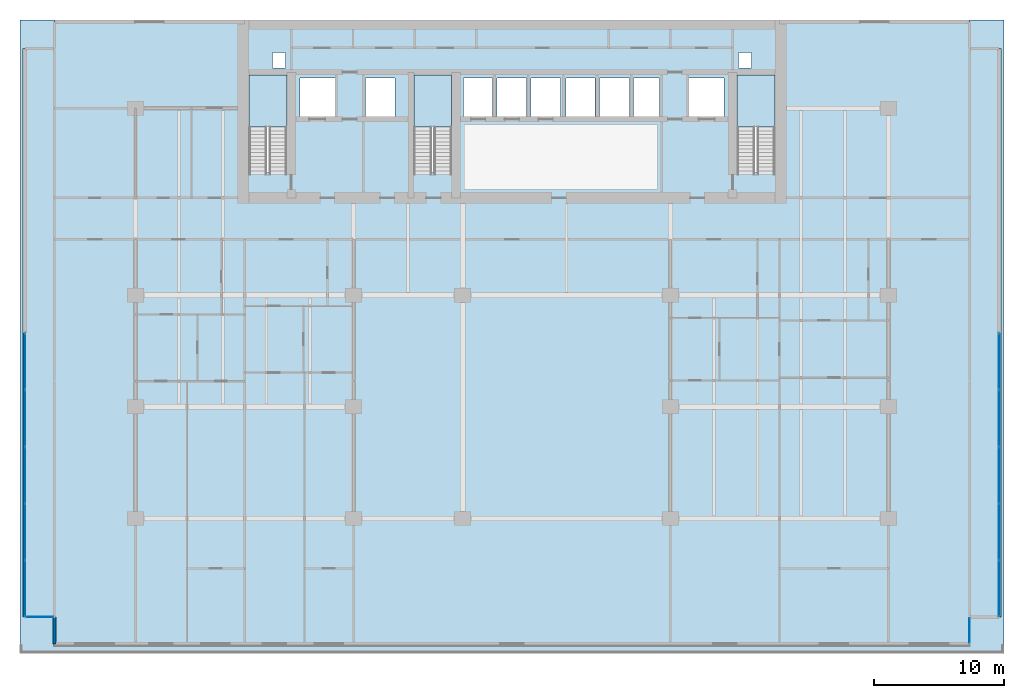
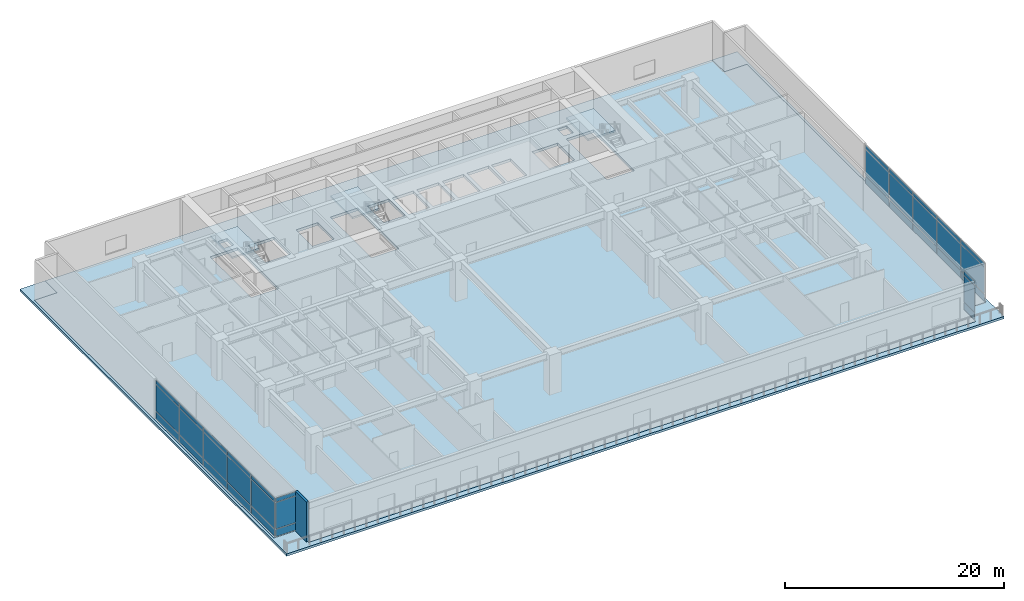
# One storey, part 5 of 13: 36 plates, 5 slabs, 1 wall, 7 elements without a shape of their own.
"""IFC4 building model written with IfcOpenShell, lengths in metres."""

from ifc_helpers import new_model, si_unit, direction, frame, frame_2d, origin, origin_2d, place, context, subcontext, project, spatial, polyline, rectangle, outline, extrude, material, layer, layer_set, type_object, element, aggregate, save


model = new_model("IFC4")

# Units and contexts
model_context = context("Model", 3, precision=1e-05, world=origin(), true_north=direction((0.0, 1.0)))
body_context = subcontext(model_context, "Body", "Model", "MODEL_VIEW")
ifc_project = project(units=[si_unit("LENGTHUNIT", "METRE"), si_unit("AREAUNIT", "SQUARE_METRE"), si_unit("VOLUMEUNIT", "CUBIC_METRE"), si_unit("PLANEANGLEUNIT", "RADIAN"), si_unit("MASSUNIT", "GRAM", prefix="KILO")], contexts=[model_context])

# Site, building, storey
site_placement = place(None, origin())
site = spatial("IfcSite", under=ifc_project, at=site_placement, CompositionType="ELEMENT")
building_placement = place(site_placement, origin())
building = spatial("IfcBuilding", under=site, at=building_placement, Name="Caelmar Bay Residences", CompositionType="ELEMENT")
storey_placement = place(building_placement, frame((0.0, 0.0, 19.800048828125)))
storey = spatial("IfcBuildingStorey", under=building, at=storey_placement, Name="L04", CompositionType="ELEMENT", Elevation=19.800048828125)

# Curtain wall, plates
ifc_material_1 = material(Name="Anodised bronze aluminium 6063-T6 and laminated glass", Category="aluminium")
ifc_layer_1 = layer(ifc_material_1, 0.179931640625)
ifc_layer_set_1 = layer_set([ifc_layer_1], Name="Anodised bronze aluminium 6063-T6 and laminated glass")
curtain_wall_type_1 = type_object("IfcCurtainWallType", Name="CW6-NTC", PredefinedType="NOTDEFINED", material=ifc_layer_set_1)
curtain_wall_1_placement = place(storey_placement, origin())
curtain_wall_1 = element("IfcCurtainWall", 1, at=curtain_wall_1_placement, inside=storey, type_object=curtain_wall_type_1, Name="CW6 curtain wall L04", PredefinedType="NOTDEFINED")
ifc_material_2 = material(Name="Bronze-tinted laminated low-E hurricane glass 28 mm", Category="glass")
ifc_layer_2 = layer(ifc_material_2, 0.028076171875)
ifc_layer_set_2 = layer_set([ifc_layer_2], Name="Bronze-tinted laminated low-E hurricane glass 28 mm")
plate_type_1 = type_object("IfcPlateType", Name="CWP-GLZ28", PredefinedType="CURTAIN_PANEL", material=ifc_layer_set_2)
plate_1_placement = place(storey_placement, frame((2.52490234375, 4.60009765625, 0.080078125), z_axis=(0.0, 0.0, 1.0), x_axis=(1.0, 0.0, 0.0)))
plate_1 = element("IfcPlate", 2, at=plate_1_placement, type_object=plate_type_1, Name="CW6 panel 1.1", PredefinedType="CURTAIN_PANEL", context=body_context, shape_type="SweptSolid", body=[
    extrude(rectangle(XDim=2.090087890625, YDim=0.028076171875, at=origin_2d()), origin(), (0.0, 0.0, 1.0), 0.780029296875),
])
plate_2_placement = place(storey_placement, frame((2.52490234375, 4.60009765625, 0.93994140625), z_axis=(0.0, 0.0, 1.0), x_axis=(1.0, 0.0, 0.0)))
plate_2 = element("IfcPlate", 3, at=plate_2_placement, type_object=plate_type_1, Name="CW6 panel 1.2", PredefinedType="CURTAIN_PANEL", context=body_context, shape_type="SweptSolid", body=[
    extrude(rectangle(XDim=2.090087890625, YDim=0.028076171875, at=origin_2d()), origin(), (0.0, 0.0, 1.0), 2.919921875),
])
plate_3_placement = place(storey_placement, frame((2.52490234375, 4.60009765625, 3.93994140625), z_axis=(0.0, 0.0, 1.0), x_axis=(1.0, 0.0, 0.0)))
plate_3 = element("IfcPlate", 4, at=plate_3_placement, type_object=plate_type_1, Name="CW6 panel 1.3", PredefinedType="CURTAIN_PANEL", context=body_context, shape_type="SweptSolid", body=[
    extrude(rectangle(XDim=2.090087890625, YDim=0.028076171875, at=origin_2d()), origin(), (0.0, 0.0, 1.0), 0.429931640625),
])
aggregate(curtain_wall_1, [plate_1, plate_2, plate_3])

curtain_wall_2_placement = place(storey_placement, origin())
curtain_wall_2 = element("IfcCurtainWall", 5, at=curtain_wall_2_placement, inside=storey, type_object=curtain_wall_type_1, Name="CW6 curtain wall L04", PredefinedType="NOTDEFINED")
plate_4_placement = place(storey_placement, frame((74.14990234375, 3.574951171875, 0.080078125), z_axis=(0.0, 0.0, 1.0), x_axis=(0.0, 1.0, 0.0)))
plate_4 = element("IfcPlate", 6, at=plate_4_placement, type_object=plate_type_1, Name="CW6 panel 1.1", PredefinedType="CURTAIN_PANEL", context=body_context, shape_type="SweptSolid", body=[
    extrude(rectangle(XDim=1.889892578125, YDim=0.028076171875, at=origin_2d()), origin(), (0.0, 0.0, 1.0), 0.780029296875),
])
plate_5_placement = place(storey_placement, frame((74.14990234375, 3.574951171875, 0.93994140625), z_axis=(0.0, 0.0, 1.0), x_axis=(0.0, 1.0, 0.0)))
plate_5 = element("IfcPlate", 7, at=plate_5_placement, type_object=plate_type_1, Name="CW6 panel 1.2", PredefinedType="CURTAIN_PANEL", context=body_context, shape_type="SweptSolid", body=[
    extrude(rectangle(XDim=1.889892578125, YDim=0.028076171875, at=origin_2d()), origin(), (0.0, 0.0, 1.0), 2.919921875),
])
plate_6_placement = place(storey_placement, frame((74.14990234375, 3.574951171875, 3.93994140625), z_axis=(0.0, 0.0, 1.0), x_axis=(0.0, 1.0, 0.0)))
plate_6 = element("IfcPlate", 8, at=plate_6_placement, type_object=plate_type_1, Name="CW6 panel 1.3", PredefinedType="CURTAIN_PANEL", context=body_context, shape_type="SweptSolid", body=[
    extrude(rectangle(XDim=1.889892578125, YDim=0.028076171875, at=origin_2d()), origin(), (0.0, 0.0, 1.0), 0.429931640625),
])
aggregate(curtain_wall_2, [plate_4, plate_5, plate_6])

ifc_layer_3 = layer(ifc_material_1, 0.179931640625)
ifc_layer_set_3 = layer_set([ifc_layer_3], Name="Anodised bronze aluminium 6063-T6 and laminated glass")
curtain_wall_type_2 = type_object("IfcCurtainWallType", Name="CW1-POD", PredefinedType="NOTDEFINED", material=ifc_layer_set_3)
curtain_wall_3_placement = place(storey_placement, origin())
curtain_wall_3 = element("IfcCurtainWall", 9, at=curtain_wall_3_placement, inside=storey, type_object=curtain_wall_type_2, Name="CW1 curtain wall L04", PredefinedType="NOTDEFINED")
ifc_material_3 = material(Name="Bronze-tinted laminated low-E hurricane glass 32 mm", Category="glass")
ifc_layer_4 = layer(ifc_material_3, 0.031982421875)
ifc_layer_set_4 = layer_set([ifc_layer_4], Name="Bronze-tinted laminated low-E hurricane glass 32 mm")
plate_type_2 = type_object("IfcPlateType", Name="CWP-GLZ32", PredefinedType="CURTAIN_PANEL", material=ifc_layer_set_4)
plate_7_placement = place(storey_placement, frame((1.39990234375, 6.81005859375, 0.080078125), z_axis=(0.0, 0.0, 1.0), x_axis=(0.0, 1.0, 0.0)))
plate_7 = element("IfcPlate", 10, at=plate_7_placement, type_object=plate_type_2, Name="CW1 panel 1.1", PredefinedType="CURTAIN_PANEL", context=body_context, shape_type="SweptSolid", body=[
    extrude(rectangle(XDim=4.260009765625, YDim=0.031982421875, at=origin_2d()), origin(), (0.0, 0.0, 1.0), 0.780029296875),
])
plate_8_placement = place(storey_placement, frame((1.39990234375, 6.81005859375, 0.93994140625), z_axis=(0.0, 0.0, 1.0), x_axis=(0.0, 1.0, 0.0)))
plate_8 = element("IfcPlate", 11, at=plate_8_placement, type_object=plate_type_2, Name="CW1 panel 1.2", PredefinedType="CURTAIN_PANEL", context=body_context, shape_type="SweptSolid", body=[
    extrude(rectangle(XDim=4.260009765625, YDim=0.031982421875, at=origin_2d()), origin(), (0.0, 0.0, 1.0), 2.919921875),
])
plate_9_placement = place(storey_placement, frame((1.39990234375, 6.81005859375, 3.93994140625), z_axis=(0.0, 0.0, 1.0), x_axis=(0.0, 1.0, 0.0)))
plate_9 = element("IfcPlate", 12, at=plate_9_placement, type_object=plate_type_2, Name="CW1 panel 1.3", PredefinedType="CURTAIN_PANEL", context=body_context, shape_type="SweptSolid", body=[
    extrude(rectangle(XDim=4.260009765625, YDim=0.031982421875, at=origin_2d()), origin(), (0.0, 0.0, 1.0), 0.429931640625),
])
plate_10_placement = place(storey_placement, frame((1.39990234375, 11.169921875, 0.080078125), z_axis=(0.0, 0.0, 1.0), x_axis=(0.0, 1.0, 0.0)))
plate_10 = element("IfcPlate", 13, at=plate_10_placement, type_object=plate_type_2, Name="CW1 panel 2.1", PredefinedType="CURTAIN_PANEL", context=body_context, shape_type="SweptSolid", body=[
    extrude(rectangle(XDim=4.300048828125, YDim=0.031982421875, at=origin_2d()), origin(), (0.0, 0.0, 1.0), 0.780029296875),
])
plate_11_placement = place(storey_placement, frame((1.39990234375, 11.169921875, 0.93994140625), z_axis=(0.0, 0.0, 1.0), x_axis=(0.0, 1.0, 0.0)))
plate_11 = element("IfcPlate", 14, at=plate_11_placement, type_object=plate_type_2, Name="CW1 panel 2.2", PredefinedType="CURTAIN_PANEL", context=body_context, shape_type="SweptSolid", body=[
    extrude(rectangle(XDim=4.300048828125, YDim=0.031982421875, at=origin_2d()), origin(), (0.0, 0.0, 1.0), 2.919921875),
])
plate_12_placement = place(storey_placement, frame((1.39990234375, 11.169921875, 3.93994140625), z_axis=(0.0, 0.0, 1.0), x_axis=(0.0, 1.0, 0.0)))
plate_12 = element("IfcPlate", 15, at=plate_12_placement, type_object=plate_type_2, Name="CW1 panel 2.3", PredefinedType="CURTAIN_PANEL", context=body_context, shape_type="SweptSolid", body=[
    extrude(rectangle(XDim=4.300048828125, YDim=0.031982421875, at=origin_2d()), origin(), (0.0, 0.0, 1.0), 0.429931640625),
])
plate_13_placement = place(storey_placement, frame((1.39990234375, 15.550048828125, 0.080078125), z_axis=(0.0, 0.0, 1.0), x_axis=(0.0, 1.0, 0.0)))
plate_13 = element("IfcPlate", 16, at=plate_13_placement, type_object=plate_type_2, Name="CW1 panel 3.1", PredefinedType="CURTAIN_PANEL", context=body_context, shape_type="SweptSolid", body=[
    extrude(rectangle(XDim=4.300048828125, YDim=0.031982421875, at=origin_2d()), origin(), (0.0, 0.0, 1.0), 0.780029296875),
])
plate_14_placement = place(storey_placement, frame((1.39990234375, 15.550048828125, 0.93994140625), z_axis=(0.0, 0.0, 1.0), x_axis=(0.0, 1.0, 0.0)))
plate_14 = element("IfcPlate", 17, at=plate_14_placement, type_object=plate_type_2, Name="CW1 panel 3.2", PredefinedType="CURTAIN_PANEL", context=body_context, shape_type="SweptSolid", body=[
    extrude(rectangle(XDim=4.300048828125, YDim=0.031982421875, at=origin_2d()), origin(), (0.0, 0.0, 1.0), 2.919921875),
])
plate_15_placement = place(storey_placement, frame((1.39990234375, 15.550048828125, 3.93994140625), z_axis=(0.0, 0.0, 1.0), x_axis=(0.0, 1.0, 0.0)))
plate_15 = element("IfcPlate", 18, at=plate_15_placement, type_object=plate_type_2, Name="CW1 panel 3.3", PredefinedType="CURTAIN_PANEL", context=body_context, shape_type="SweptSolid", body=[
    extrude(rectangle(XDim=4.300048828125, YDim=0.031982421875, at=origin_2d()), origin(), (0.0, 0.0, 1.0), 0.429931640625),
])
plate_16_placement = place(storey_placement, frame((1.39990234375, 19.929931640625, 0.080078125), z_axis=(0.0, 0.0, 1.0), x_axis=(0.0, 1.0, 0.0)))
plate_16 = element("IfcPlate", 19, at=plate_16_placement, type_object=plate_type_2, Name="CW1 panel 4.1", PredefinedType="CURTAIN_PANEL", context=body_context, shape_type="SweptSolid", body=[
    extrude(rectangle(XDim=4.300048828125, YDim=0.031982421875, at=origin_2d()), origin(), (0.0, 0.0, 1.0), 0.780029296875),
])
plate_17_placement = place(storey_placement, frame((1.39990234375, 19.929931640625, 0.93994140625), z_axis=(0.0, 0.0, 1.0), x_axis=(0.0, 1.0, 0.0)))
plate_17 = element("IfcPlate", 20, at=plate_17_placement, type_object=plate_type_2, Name="CW1 panel 4.2", PredefinedType="CURTAIN_PANEL", context=body_context, shape_type="SweptSolid", body=[
    extrude(rectangle(XDim=4.300048828125, YDim=0.031982421875, at=origin_2d()), origin(), (0.0, 0.0, 1.0), 2.919921875),
])
plate_18_placement = place(storey_placement, frame((1.39990234375, 19.929931640625, 3.93994140625), z_axis=(0.0, 0.0, 1.0), x_axis=(0.0, 1.0, 0.0)))
plate_18 = element("IfcPlate", 21, at=plate_18_placement, type_object=plate_type_2, Name="CW1 panel 4.3", PredefinedType="CURTAIN_PANEL", context=body_context, shape_type="SweptSolid", body=[
    extrude(rectangle(XDim=4.300048828125, YDim=0.031982421875, at=origin_2d()), origin(), (0.0, 0.0, 1.0), 0.429931640625),
])
plate_19_placement = place(storey_placement, frame((1.39990234375, 24.2900390625, 0.080078125), z_axis=(0.0, 0.0, 1.0), x_axis=(0.0, 1.0, 0.0)))
plate_19 = element("IfcPlate", 22, at=plate_19_placement, type_object=plate_type_2, Name="CW1 panel 5.1", PredefinedType="CURTAIN_PANEL", context=body_context, shape_type="SweptSolid", body=[
    extrude(rectangle(XDim=4.260009765625, YDim=0.031982421875, at=origin_2d()), origin(), (0.0, 0.0, 1.0), 0.780029296875),
])
plate_20_placement = place(storey_placement, frame((1.39990234375, 24.2900390625, 0.93994140625), z_axis=(0.0, 0.0, 1.0), x_axis=(0.0, 1.0, 0.0)))
plate_20 = element("IfcPlate", 23, at=plate_20_placement, type_object=plate_type_2, Name="CW1 panel 5.2", PredefinedType="CURTAIN_PANEL", context=body_context, shape_type="SweptSolid", body=[
    extrude(rectangle(XDim=4.260009765625, YDim=0.031982421875, at=origin_2d()), origin(), (0.0, 0.0, 1.0), 2.919921875),
])
plate_21_placement = place(storey_placement, frame((1.39990234375, 24.2900390625, 3.93994140625), z_axis=(0.0, 0.0, 1.0), x_axis=(0.0, 1.0, 0.0)))
plate_21 = element("IfcPlate", 24, at=plate_21_placement, type_object=plate_type_2, Name="CW1 panel 5.3", PredefinedType="CURTAIN_PANEL", context=body_context, shape_type="SweptSolid", body=[
    extrude(rectangle(XDim=4.260009765625, YDim=0.031982421875, at=origin_2d()), origin(), (0.0, 0.0, 1.0), 0.429931640625),
])
aggregate(curtain_wall_3, [plate_7, plate_8, plate_9, plate_10, plate_11, plate_12, plate_13, plate_14, plate_15, plate_16, plate_17, plate_18, plate_19, plate_20, plate_21])

curtain_wall_4_placement = place(storey_placement, origin())
curtain_wall_4 = element("IfcCurtainWall", 25, at=curtain_wall_4_placement, inside=storey, type_object=curtain_wall_type_2, Name="CW1 curtain wall L04", PredefinedType="NOTDEFINED")
plate_22_placement = place(storey_placement, frame((76.39990234375, 24.2900390625, 0.080078125), z_axis=(0.0, 0.0, 1.0), x_axis=(0.0, -1.0, 0.0)))
plate_22 = element("IfcPlate", 26, at=plate_22_placement, type_object=plate_type_2, Name="CW1 panel 1.1", PredefinedType="CURTAIN_PANEL", context=body_context, shape_type="SweptSolid", body=[
    extrude(rectangle(XDim=4.260009765625, YDim=0.031982421875, at=origin_2d()), origin(), (0.0, 0.0, 1.0), 0.780029296875),
])
plate_23_placement = place(storey_placement, frame((76.39990234375, 24.2900390625, 0.93994140625), z_axis=(0.0, 0.0, 1.0), x_axis=(0.0, -1.0, 0.0)))
plate_23 = element("IfcPlate", 27, at=plate_23_placement, type_object=plate_type_2, Name="CW1 panel 1.2", PredefinedType="CURTAIN_PANEL", context=body_context, shape_type="SweptSolid", body=[
    extrude(rectangle(XDim=4.260009765625, YDim=0.031982421875, at=origin_2d()), origin(), (0.0, 0.0, 1.0), 2.919921875),
])
plate_24_placement = place(storey_placement, frame((76.39990234375, 24.2900390625, 3.93994140625), z_axis=(0.0, 0.0, 1.0), x_axis=(0.0, -1.0, 0.0)))
plate_24 = element("IfcPlate", 28, at=plate_24_placement, type_object=plate_type_2, Name="CW1 panel 1.3", PredefinedType="CURTAIN_PANEL", context=body_context, shape_type="SweptSolid", body=[
    extrude(rectangle(XDim=4.260009765625, YDim=0.031982421875, at=origin_2d()), origin(), (0.0, 0.0, 1.0), 0.429931640625),
])
plate_25_placement = place(storey_placement, frame((76.39990234375, 19.929931640625, 0.080078125), z_axis=(0.0, 0.0, 1.0), x_axis=(0.0, -1.0, 0.0)))
plate_25 = element("IfcPlate", 29, at=plate_25_placement, type_object=plate_type_2, Name="CW1 panel 2.1", PredefinedType="CURTAIN_PANEL", context=body_context, shape_type="SweptSolid", body=[
    extrude(rectangle(XDim=4.300048828125, YDim=0.031982421875, at=origin_2d()), origin(), (0.0, 0.0, 1.0), 0.780029296875),
])
plate_26_placement = place(storey_placement, frame((76.39990234375, 19.929931640625, 0.93994140625), z_axis=(0.0, 0.0, 1.0), x_axis=(0.0, -1.0, 0.0)))
plate_26 = element("IfcPlate", 30, at=plate_26_placement, type_object=plate_type_2, Name="CW1 panel 2.2", PredefinedType="CURTAIN_PANEL", context=body_context, shape_type="SweptSolid", body=[
    extrude(rectangle(XDim=4.300048828125, YDim=0.031982421875, at=origin_2d()), origin(), (0.0, 0.0, 1.0), 2.919921875),
])
plate_27_placement = place(storey_placement, frame((76.39990234375, 19.929931640625, 3.93994140625), z_axis=(0.0, 0.0, 1.0), x_axis=(0.0, -1.0, 0.0)))
plate_27 = element("IfcPlate", 31, at=plate_27_placement, type_object=plate_type_2, Name="CW1 panel 2.3", PredefinedType="CURTAIN_PANEL", context=body_context, shape_type="SweptSolid", body=[
    extrude(rectangle(XDim=4.300048828125, YDim=0.031982421875, at=origin_2d()), origin(), (0.0, 0.0, 1.0), 0.429931640625),
])
plate_28_placement = place(storey_placement, frame((76.39990234375, 15.550048828125, 0.080078125), z_axis=(0.0, 0.0, 1.0), x_axis=(0.0, -1.0, 0.0)))
plate_28 = element("IfcPlate", 32, at=plate_28_placement, type_object=plate_type_2, Name="CW1 panel 3.1", PredefinedType="CURTAIN_PANEL", context=body_context, shape_type="SweptSolid", body=[
    extrude(rectangle(XDim=4.300048828125, YDim=0.031982421875, at=origin_2d()), origin(), (0.0, 0.0, 1.0), 0.780029296875),
])
plate_29_placement = place(storey_placement, frame((76.39990234375, 15.550048828125, 0.93994140625), z_axis=(0.0, 0.0, 1.0), x_axis=(0.0, -1.0, 0.0)))
plate_29 = element("IfcPlate", 33, at=plate_29_placement, type_object=plate_type_2, Name="CW1 panel 3.2", PredefinedType="CURTAIN_PANEL", context=body_context, shape_type="SweptSolid", body=[
    extrude(rectangle(XDim=4.300048828125, YDim=0.031982421875, at=origin_2d()), origin(), (0.0, 0.0, 1.0), 2.919921875),
])
plate_30_placement = place(storey_placement, frame((76.39990234375, 15.550048828125, 3.93994140625), z_axis=(0.0, 0.0, 1.0), x_axis=(0.0, -1.0, 0.0)))
plate_30 = element("IfcPlate", 34, at=plate_30_placement, type_object=plate_type_2, Name="CW1 panel 3.3", PredefinedType="CURTAIN_PANEL", context=body_context, shape_type="SweptSolid", body=[
    extrude(rectangle(XDim=4.300048828125, YDim=0.031982421875, at=origin_2d()), origin(), (0.0, 0.0, 1.0), 0.429931640625),
])
plate_31_placement = place(storey_placement, frame((76.39990234375, 11.169921875, 0.080078125), z_axis=(0.0, 0.0, 1.0), x_axis=(0.0, -1.0, 0.0)))
plate_31 = element("IfcPlate", 35, at=plate_31_placement, type_object=plate_type_2, Name="CW1 panel 4.1", PredefinedType="CURTAIN_PANEL", context=body_context, shape_type="SweptSolid", body=[
    extrude(rectangle(XDim=4.300048828125, YDim=0.031982421875, at=origin_2d()), origin(), (0.0, 0.0, 1.0), 0.780029296875),
])
plate_32_placement = place(storey_placement, frame((76.39990234375, 11.169921875, 0.93994140625), z_axis=(0.0, 0.0, 1.0), x_axis=(0.0, -1.0, 0.0)))
plate_32 = element("IfcPlate", 36, at=plate_32_placement, type_object=plate_type_2, Name="CW1 panel 4.2", PredefinedType="CURTAIN_PANEL", context=body_context, shape_type="SweptSolid", body=[
    extrude(rectangle(XDim=4.300048828125, YDim=0.031982421875, at=origin_2d()), origin(), (0.0, 0.0, 1.0), 2.919921875),
])
plate_33_placement = place(storey_placement, frame((76.39990234375, 11.169921875, 3.93994140625), z_axis=(0.0, 0.0, 1.0), x_axis=(0.0, -1.0, 0.0)))
plate_33 = element("IfcPlate", 37, at=plate_33_placement, type_object=plate_type_2, Name="CW1 panel 4.3", PredefinedType="CURTAIN_PANEL", context=body_context, shape_type="SweptSolid", body=[
    extrude(rectangle(XDim=4.300048828125, YDim=0.031982421875, at=origin_2d()), origin(), (0.0, 0.0, 1.0), 0.429931640625),
])
plate_34_placement = place(storey_placement, frame((76.39990234375, 6.81005859375, 0.080078125), z_axis=(0.0, 0.0, 1.0), x_axis=(0.0, -1.0, 0.0)))
plate_34 = element("IfcPlate", 38, at=plate_34_placement, type_object=plate_type_2, Name="CW1 panel 5.1", PredefinedType="CURTAIN_PANEL", context=body_context, shape_type="SweptSolid", body=[
    extrude(rectangle(XDim=4.260009765625, YDim=0.031982421875, at=origin_2d()), origin(), (0.0, 0.0, 1.0), 0.780029296875),
])
plate_35_placement = place(storey_placement, frame((76.39990234375, 6.81005859375, 0.93994140625), z_axis=(0.0, 0.0, 1.0), x_axis=(0.0, -1.0, 0.0)))
plate_35 = element("IfcPlate", 39, at=plate_35_placement, type_object=plate_type_2, Name="CW1 panel 5.2", PredefinedType="CURTAIN_PANEL", context=body_context, shape_type="SweptSolid", body=[
    extrude(rectangle(XDim=4.260009765625, YDim=0.031982421875, at=origin_2d()), origin(), (0.0, 0.0, 1.0), 2.919921875),
])
plate_36_placement = place(storey_placement, frame((76.39990234375, 6.81005859375, 3.93994140625), z_axis=(0.0, 0.0, 1.0), x_axis=(0.0, -1.0, 0.0)))
plate_36 = element("IfcPlate", 40, at=plate_36_placement, type_object=plate_type_2, Name="CW1 panel 5.3", PredefinedType="CURTAIN_PANEL", context=body_context, shape_type="SweptSolid", body=[
    extrude(rectangle(XDim=4.260009765625, YDim=0.031982421875, at=origin_2d()), origin(), (0.0, 0.0, 1.0), 0.429931640625),
])
aggregate(curtain_wall_4, [plate_22, plate_23, plate_24, plate_25, plate_26, plate_27, plate_28, plate_29, plate_30, plate_31, plate_32, plate_33, plate_34, plate_35, plate_36])

# Stair, slab
ifc_material_4 = material(Name="Concrete f'c 40 MPa (6,000 psi)", Category="concrete")
stair_type = type_object("IfcStairType", Name="ST-TAL-170", PredefinedType="HALF_TURN_STAIR", material=ifc_material_4)
stair_1_placement = place(storey_placement, origin())
stair_1 = element("IfcStair", 41, at=stair_1_placement, inside=storey, type_object=stair_type, Name="L04 West Smokeproof Exit Stair ST1", PredefinedType="HALF_TURN_STAIR")
ifc_layer_5 = layer(ifc_material_4, 0.199951171875)
ifc_layer_set_5 = layer_set([ifc_layer_5], Name="Concrete f'c 40 MPa (6,000 psi)")
slab_type_1 = type_object("IfcSlabType", Name="SLB-LND-200", PredefinedType="LANDING", material=ifc_layer_set_5)
slab_1_placement = place(storey_placement, frame((0.0, 0.0, 2.199951171875)))
slab_1 = element("IfcSlab", 42, at=slab_1_placement, type_object=slab_type_1, Name="ST1 landing 1", PredefinedType="LANDING", context=body_context, shape_type="SweptSolid", body=[
    extrude(outline(polyline([(21.550048828125, 42.340087890625), (21.550048828125, 46.35009765625), (18.64990234375, 46.35009765625), (18.64990234375, 42.340087890625), (21.550048828125, 42.340087890625)])), origin(), (0.0, 0.0, 1.0), 0.199951171875),
])
aggregate(stair_1, [slab_1])

stair_2_placement = place(storey_placement, origin())
stair_2 = element("IfcStair", 43, at=stair_2_placement, inside=storey, type_object=stair_type, Name="L04 East Smokeproof Exit Stair ST2", PredefinedType="HALF_TURN_STAIR")
slab_2_placement = place(storey_placement, frame((0.0, 0.0, 2.199951171875)))
slab_2 = element("IfcSlab", 44, at=slab_2_placement, type_object=slab_type_1, Name="ST2 landing 1", PredefinedType="LANDING", context=body_context, shape_type="SweptSolid", body=[
    extrude(outline(polyline([(59.14990234375, 42.340087890625), (59.14990234375, 46.35009765625), (56.25, 46.35009765625), (56.25, 42.340087890625), (59.14990234375, 42.340087890625)])), origin(), (0.0, 0.0, 1.0), 0.199951171875),
])
aggregate(stair_2, [slab_2])

stair_3_placement = place(storey_placement, origin())
stair_3 = element("IfcStair", 45, at=stair_3_placement, inside=storey, type_object=stair_type, Name="L04 Central Smokeproof Exit Stair ST3", PredefinedType="HALF_TURN_STAIR")
slab_3_placement = place(storey_placement, frame((0.0, 0.0, 2.199951171875)))
slab_3 = element("IfcSlab", 46, at=slab_3_placement, type_object=slab_type_1, Name="ST3 landing 1", PredefinedType="LANDING", context=body_context, shape_type="SweptSolid", body=[
    extrude(outline(polyline([(34.25, 42.340087890625), (34.25, 46.35009765625), (31.35009765625, 46.35009765625), (31.35009765625, 42.340087890625), (34.25, 42.340087890625)])), origin(), (0.0, 0.0, 1.0), 0.199951171875),
])
aggregate(stair_3, [slab_3])

# Slabs
ifc_layer_6 = layer(ifc_material_4, 0.300048828125)
ifc_layer_set_6 = layer_set([ifc_layer_6], Name="Concrete f'c 40 MPa (6,000 psi)")
slab_type_2 = type_object("IfcSlabType", Name="SLB-POD-300", PredefinedType="FLOOR", material=ifc_layer_set_6)
slab_4_placement = place(storey_placement, frame((0.0, 0.0, -0.300048828125)))
element("IfcSlab", 47, at=slab_4_placement, inside=storey, type_object=slab_type_2, Name="L04 Structural Floor Slab", PredefinedType="FLOOR", context=body_context, shape_type="SweptSolid", body=[
    extrude(outline(polyline([(3.64990234375, 2.39990234375), (74.14990234375, 2.39990234375), (74.14990234375, 4.60009765625), (76.550048828125, 4.60009765625), (76.550048828125, 48.39990234375), (74.14990234375, 48.39990234375), (74.14990234375, 50.60009765625), (3.64990234375, 50.60009765625), (3.64990234375, 48.39990234375), (1.25, 48.39990234375), (1.25, 4.60009765625), (3.64990234375, 4.60009765625), (3.64990234375, 2.39990234375)]), holes=[polyline([(18.64990234375, 38.85009765625), (21.550048828125, 38.85009765625), (21.550048828125, 46.35009765625), (18.64990234375, 46.35009765625), (18.64990234375, 38.85009765625)]), polyline([(56.25, 38.85009765625), (59.14990234375, 38.85009765625), (59.14990234375, 46.35009765625), (56.25, 46.35009765625), (56.25, 38.85009765625)]), polyline([(31.35009765625, 38.85009765625), (34.25, 38.85009765625), (34.25, 46.35009765625), (31.35009765625, 46.35009765625), (31.35009765625, 38.85009765625)]), polyline([(22.550048828125, 43.050048828125), (25.25, 43.050048828125), (25.25, 46.14990234375), (22.550048828125, 46.14990234375), (22.550048828125, 43.050048828125)]), polyline([(52.550048828125, 43.050048828125), (55.25, 43.050048828125), (55.25, 46.14990234375), (52.550048828125, 46.14990234375), (52.550048828125, 43.050048828125)]), polyline([(35.14990234375, 43.14990234375), (37.39990234375, 43.14990234375), (37.39990234375, 46.14990234375), (35.14990234375, 46.14990234375), (35.14990234375, 43.14990234375)]), polyline([(37.75, 43.14990234375), (40.0, 43.14990234375), (40.0, 46.14990234375), (37.75, 46.14990234375), (37.75, 43.14990234375)]), polyline([(40.35009765625, 43.14990234375), (42.64990234375, 43.14990234375), (42.64990234375, 46.14990234375), (40.35009765625, 46.14990234375), (40.35009765625, 43.14990234375)]), polyline([(43.050048828125, 43.14990234375), (45.300048828125, 43.14990234375), (45.300048828125, 46.14990234375), (43.050048828125, 46.14990234375), (43.050048828125, 43.14990234375)]), polyline([(45.64990234375, 43.14990234375), (47.949951171875, 43.14990234375), (47.949951171875, 46.14990234375), (45.64990234375, 46.14990234375), (45.64990234375, 43.14990234375)]), polyline([(48.25, 43.14990234375), (50.25, 43.14990234375), (50.25, 46.14990234375), (48.25, 46.14990234375), (48.25, 43.14990234375)]), polyline([(27.60009765625, 43.14990234375), (29.89990234375, 43.14990234375), (29.89990234375, 46.14990234375), (27.60009765625, 46.14990234375), (27.60009765625, 43.14990234375)]), polyline([(20.449951171875, 46.89990234375), (21.449951171875, 46.89990234375), (21.449951171875, 48.10009765625), (20.449951171875, 48.10009765625), (20.449951171875, 46.89990234375)]), polyline([(56.35009765625, 46.89990234375), (57.35009765625, 46.89990234375), (57.35009765625, 48.10009765625), (56.35009765625, 48.10009765625), (56.35009765625, 46.89990234375)])]), origin(), (0.0, 0.0, 1.0), 0.300048828125),
])
ifc_layer_7 = layer(ifc_material_4, 0.260009765625)
ifc_layer_set_7 = layer_set([ifc_layer_7], Name="Concrete f'c 40 MPa (6,000 psi)")
slab_type_3 = type_object("IfcSlabType", Name="SLB-TER-260", PredefinedType="ROOF", material=ifc_layer_set_7)
slab_5_placement = place(storey_placement, frame((0.0, 0.0, -0.260009765625)))
element("IfcSlab", 48, at=slab_5_placement, inside=storey, type_object=slab_type_3, Name="L04 Exterior Stepped Terrace Roof Slab 1", PredefinedType="ROOF", context=body_context, shape_type="SweptSolid", body=[
    extrude(outline(polyline([(74.14990234375, 50.60009765625), (74.14990234375, 48.39990234375), (76.550048828125, 48.39990234375), (76.550048828125, 4.60009765625), (74.14990234375, 4.60009765625), (74.14990234375, 2.39990234375), (3.64990234375, 2.39990234375), (3.64990234375, 4.60009765625), (1.25, 4.60009765625), (1.25, 48.39990234375), (3.64990234375, 48.39990234375), (3.64990234375, 50.60009765625), (1.0, 50.60009765625), (1.0, 1.800048828125), (76.800048828125, 1.800048828125), (76.800048828125, 50.60009765625), (74.14990234375, 50.60009765625)])), origin(), (0.0, 0.0, 1.0), 0.260009765625),
])

# Wall
ifc_material_5 = material(Name="Precast concrete f'c 40 MPa (6,000 psi)", Category="concrete")
ifc_layer_8 = layer(ifc_material_5, 0.25)
ifc_layer_set_8 = layer_set([ifc_layer_8], Name="Precast concrete f'c 40 MPa (6,000 psi)")
wall_type = type_object("IfcWallType", Name="W-EXT-250", PredefinedType="ELEMENTEDWALL", material=ifc_layer_set_8)
wall_placement = place(storey_placement, frame((3.64990234375, 4.60009765625, 0.0), z_axis=(0.0, 0.0, 1.0), x_axis=(0.0, -1.0, 0.0)))
element("IfcWall", 49, at=wall_placement, inside=storey, type_object=wall_type, Name="L04 SW Notch Return Wall", PredefinedType="ELEMENTEDWALL", context=body_context, shape_type="SweptSolid", body=[
    extrude(rectangle(XDim=2.050048828125, YDim=0.25, at=frame_2d((1.02490234375, 0.0))), origin(), (0.0, 0.0, 1.0), 4.449951171875),
])

save(model, "model.ifc")
